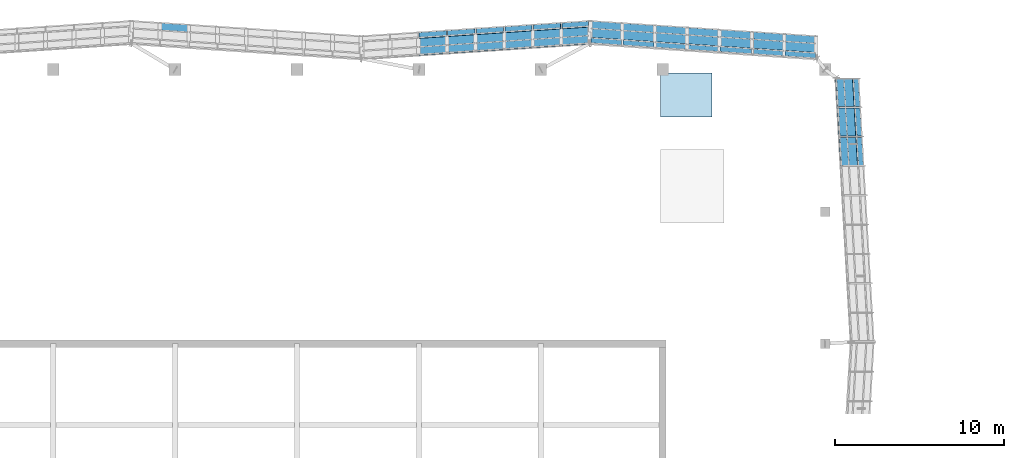
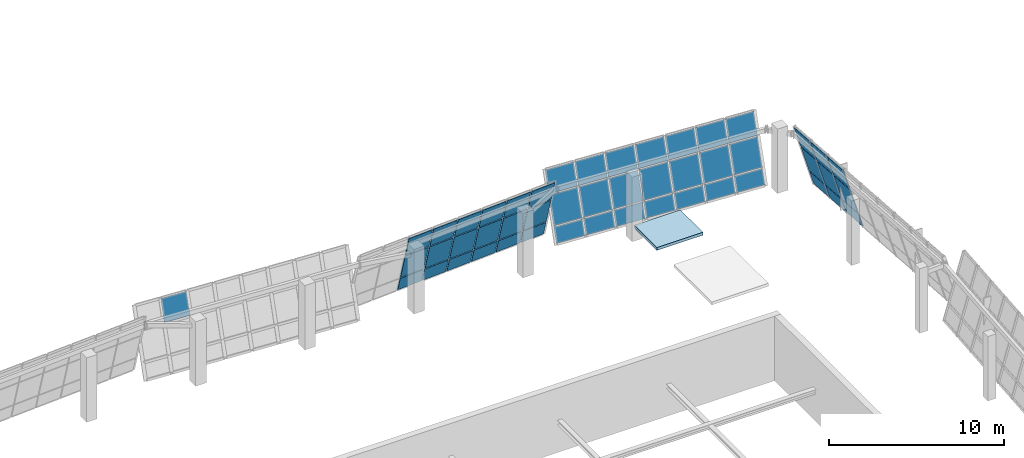
# One storey, part 44 of 67: 49 plates, 1 slab, 4 elements without a shape of their own.
"""IFC4 building model written with IfcOpenShell, lengths in metres."""

from ifc_helpers import new_model, si_unit, direction, frame, origin, place, context, subcontext, project, spatial, polyline, outline, extrude, material, layer, layer_set, type_object, element, aggregate, save


model = new_model("IFC4")

# Units and contexts
model_context = context("Model", 3, precision=1e-05, world=origin(), true_north=direction((0.0, 1.0)))
body_context = subcontext(model_context, "Body", "Model", "MODEL_VIEW")
ifc_project = project(units=[si_unit("LENGTHUNIT", "METRE"), si_unit("AREAUNIT", "SQUARE_METRE"), si_unit("VOLUMEUNIT", "CUBIC_METRE"), si_unit("PLANEANGLEUNIT", "RADIAN"), si_unit("MASSUNIT", "GRAM", prefix="KILO")], contexts=[model_context])

# Site, building, storey
site_placement = place(None, origin())
site = spatial("IfcSite", under=ifc_project, at=site_placement, CompositionType="ELEMENT")
building_placement = place(site_placement, origin())
building = spatial("IfcBuilding", under=site, at=building_placement, Name="Pellamere Symphony Hall", CompositionType="ELEMENT")
storey_placement = place(building_placement, frame((0.0, 0.0, 19.5)))
storey = spatial("IfcBuildingStorey", under=building, at=storey_placement, Name="L04", CompositionType="ELEMENT", Elevation=19.5)

# Curtain wall, plates
ifc_material_1 = material(Name="Thermally Broken Anodised Aluminium 6063-T6 Curtain Wall", Category="aluminium")
curtain_wall_type = type_object("IfcCurtainWallType", Name="Curtain Wall CW-01 (Tilted Faceted Crystal Low-Iron Curtain Wall)", PredefinedType="NOTDEFINED", material=ifc_material_1)
curtain_wall_1_placement = place(storey_placement, origin())
curtain_wall_1 = element("IfcCurtainWall", 1, at=curtain_wall_1_placement, inside=storey, type_object=curtain_wall_type, Name="Crystal Faceted Curtain Wall CW-CR10 (L04)", PredefinedType="NOTDEFINED")
ifc_material_2 = material(Name="Pre-Weathered Quartz-Zinc Faceted Cladding Cassette", Category="aluminium")
ifc_layer_1 = layer(ifc_material_2, 0.0400390625, Name="Pre-Weathered Quartz-Zinc Faceted Cladding Cassette")
ifc_layer_set_1 = layer_set([ifc_layer_1], Name="Pre-Weathered Quartz-Zinc Faceted Cladding Cassette")
plate_type_1 = type_object("IfcPlateType", Name="Facade Panel CL-01 40mm", PredefinedType="CURTAIN_PANEL", material=ifc_layer_set_1)
plate_1_placement = place(storey_placement, frame((118.22509765625, 94.2763671875, 0.072021484375), z_axis=(-0.064299929155, -0.956850357038, 0.283377686749), x_axis=(-0.997749727577, 0.067048349123, 0.0)))
plate_1 = element("IfcPlate", 2, at=plate_1_placement, type_object=plate_type_1, Name="CW1-024 crystal glass panel 1.1", PredefinedType="CURTAIN_PANEL", context=body_context, shape_type="SweptSolid", body=[
    extrude(outline(polyline([(0.0, 0.0), (1.806066093850216, -6.938893903907228e-18), (1.8253654111393334, -1.0134674953137657), (0.019299317289117303, -1.0134674953137657), (0.0, 0.0)])), origin(), (0.0, 0.0, -1.0), 0.0400390625),
])
plate_2_placement = place(storey_placement, frame((118.22509765625, 94.585693359375, 1.115966796875), z_axis=(-0.064169609769, -0.956840181223, 0.28344157913), x_axis=(-0.997758761658, 0.066913776862, 0.0)))
plate_2 = element("IfcPlate", 3, at=plate_2_placement, type_object=plate_type_1, Name="CW1-024 crystal glass panel 1.2", PredefinedType="CURTAIN_PANEL", context=body_context, shape_type="SweptSolid", body=[
    extrude(outline(polyline([(0.0, 0.0), (1.8060497410515595, 6.938893903907228e-18), (1.8420877761488028, -1.895865621449728), (0.03603803509724332, -1.895865621449728), (0.0, 0.0)])), origin(), (0.0, 0.0, -1.0), 0.0400390625),
])
plate_3_placement = place(storey_placement, frame((118.22509765625, 95.1455078125, 3.005859375), z_axis=(-0.064300267479, -0.956855391665, 0.283360609549), x_axis=(-0.997749727577, 0.067048349123, 0.0)))
plate_3 = element("IfcPlate", 4, at=plate_3_placement, type_object=plate_type_1, Name="CW1-024 crystal glass panel 1.3", PredefinedType="CURTAIN_PANEL", context=body_context, shape_type="SweptSolid", body=[
    extrude(outline(polyline([(0.0, 0.0), (1.806066093850216, 0.0), (1.8343030084589753, -1.4828980402897356), (0.028236914608759413, -1.4828980402897356), (0.0, 0.0)])), origin(), (0.0, 0.0, -1.0), 0.0400390625),
])
plate_4_placement = place(storey_placement, frame((116.348388671875, 94.40234375, 0.072021484375), z_axis=(-0.064251449356, -0.956787887145, 0.283599524449), x_axis=(-0.997752815695, 0.067002378864, 0.0)))
plate_4 = element("IfcPlate", 5, at=plate_4_placement, type_object=plate_type_1, Name="CW1-024 crystal glass panel 2.1", PredefinedType="CURTAIN_PANEL", context=body_context, shape_type="SweptSolid", body=[
    extrude(outline(polyline([(0.0, 0.0), (1.8437428393467363, 0.0), (1.863045282476549, -1.0135368028599794), (0.01930244312981295, -1.0135368028599794), (0.0, 0.0)])), origin(), (0.0, 0.0, -1.0), 0.0400390625),
])
plate_5_placement = place(storey_placement, frame((116.348388671875, 94.711669921875, 1.115966796875), z_axis=(-0.064254608922, -0.956834937205, 0.283440025712), x_axis=(-0.997752815695, 0.067002378864, 0.0)))
plate_5 = element("IfcPlate", 6, at=plate_5_placement, type_object=plate_type_1, Name="CW1-024 crystal glass panel 2.2", PredefinedType="CURTAIN_PANEL", context=body_context, shape_type="SweptSolid", body=[
    extrude(outline(polyline([(0.0, 0.0), (1.8437428393467363, -6.938893903907228e-18), (1.879828593197895, -1.895864713775123), (0.036085753851158794, -1.895864713775123), (0.0, 0.0)])), origin(), (0.0, 0.0, -1.0), 0.0400390625),
])
plate_6_placement = place(storey_placement, frame((116.348388671875, 95.271484375, 3.005859375), z_axis=(-0.064253173821, -0.95681356668, 0.283512483449), x_axis=(-0.997752815695, 0.067002378864, 0.0)))
plate_6 = element("IfcPlate", 7, at=plate_6_placement, type_object=plate_type_1, Name="CW1-024 crystal glass panel 2.3", PredefinedType="CURTAIN_PANEL", context=body_context, shape_type="SweptSolid", body=[
    extrude(outline(polyline([(0.0, 0.0), (1.8437428393467363, -6.938893903907228e-18), (1.8719767519247508, -1.4829674517842317), (0.02823391257801454, -1.4829674517842317), (0.0, 0.0)])), origin(), (0.0, 0.0, -1.0), 0.0400390625),
])
plate_7_placement = place(storey_placement, frame((114.43408203125, 94.531005859375, 0.072021484375), z_axis=(-0.06425582732, -0.956853080748, 0.283378493394), x_axis=(-0.997752815695, 0.067002378864, 0.0)))
plate_7 = element("IfcPlate", 8, at=plate_7_placement, type_object=plate_type_1, Name="CW1-024 crystal glass panel 3.1", PredefinedType="CURTAIN_PANEL", context=body_context, shape_type="SweptSolid", body=[
    extrude(outline(polyline([(0.0, 0.0), (1.8437428393467363, 0.0), (1.863028924473897, -1.0134677472055296), (0.019286085127160568, -1.0134677472055296), (0.0, 0.0)])), origin(), (0.0, 0.0, -1.0), 0.0400390625),
])
plate_8_placement = place(storey_placement, frame((114.43408203125, 94.84033203125, 1.115966796875), z_axis=(-0.064254608922, -0.956834937205, 0.283440025712), x_axis=(-0.997752815695, 0.067002378864, 0.0)))
plate_8 = element("IfcPlate", 9, at=plate_8_placement, type_object=plate_type_1, Name="CW1-024 crystal glass panel 3.2", PredefinedType="CURTAIN_PANEL", context=body_context, shape_type="SweptSolid", body=[
    extrude(outline(polyline([(0.0, 0.0), (1.8437428393467363, -6.938893903907228e-18), (1.879828593197895, -1.895864713775123), (0.036085753851158794, -1.895864713775123), (0.0, 0.0)])), origin(), (0.0, 0.0, -1.0), 0.0400390625),
])
plate_9_placement = place(storey_placement, frame((114.43408203125, 95.400146484375, 3.005859375), z_axis=(-0.064256165415, -0.956858115418, 0.283361416154), x_axis=(-0.997752815695, 0.067002378864, 0.0)))
plate_9 = element("IfcPlate", 10, at=plate_9_placement, type_object=plate_type_1, Name="CW1-024 crystal glass panel 3.3", PredefinedType="CURTAIN_PANEL", context=body_context, shape_type="SweptSolid", body=[
    extrude(outline(polyline([(0.0, 0.0), (1.8437428393467363, 0.0), (1.8719603939220983, -1.4828984088114556), (0.028217554575362156, -1.4828984088114556), (0.0, 0.0)])), origin(), (0.0, 0.0, -1.0), 0.0400390625),
])
plate_10_placement = place(storey_placement, frame((112.519775390625, 94.659423828125, 0.072021484375), z_axis=(-0.064251449356, -0.956787887145, 0.283599524449), x_axis=(-0.997752815695, 0.067002378864, 0.0)))
plate_10 = element("IfcPlate", 11, at=plate_10_placement, type_object=plate_type_1, Name="CW1-024 crystal glass panel 4.1", PredefinedType="CURTAIN_PANEL", context=body_context, shape_type="SweptSolid", body=[
    extrude(outline(polyline([(0.0, 0.0), (1.8437428393467363, 0.0), (1.863045282476549, -1.0135368028599794), (0.01930244312981295, -1.0135368028599794), (0.0, 0.0)])), origin(), (0.0, 0.0, -1.0), 0.0400390625),
])
plate_11_placement = place(storey_placement, frame((112.519775390625, 94.96875, 1.115966796875), z_axis=(-0.064254608922, -0.956834937205, 0.283440025712), x_axis=(-0.997752815695, 0.067002378864, 0.0)))
plate_11 = element("IfcPlate", 12, at=plate_11_placement, type_object=plate_type_1, Name="CW1-024 crystal glass panel 4.2", PredefinedType="CURTAIN_PANEL", context=body_context, shape_type="SweptSolid", body=[
    extrude(outline(polyline([(0.0, 0.0), (1.8437428393467363, -6.938893903907228e-18), (1.879828593197895, -1.895864713775123), (0.036085753851158794, -1.895864713775123), (0.0, 0.0)])), origin(), (0.0, 0.0, -1.0), 0.0400390625),
])
plate_12_placement = place(storey_placement, frame((112.519775390625, 95.528564453125, 3.005859375), z_axis=(-0.064253173821, -0.95681356668, 0.283512483449), x_axis=(-0.997752815695, 0.067002378864, 0.0)))
plate_12 = element("IfcPlate", 13, at=plate_12_placement, type_object=plate_type_1, Name="CW1-024 crystal glass panel 4.3", PredefinedType="CURTAIN_PANEL", context=body_context, shape_type="SweptSolid", body=[
    extrude(outline(polyline([(0.0, 0.0), (1.8437428393467363, -6.938893903907228e-18), (1.8719767519247508, -1.4829674517842317), (0.02823391257801454, -1.4829674517842317), (0.0, 0.0)])), origin(), (0.0, 0.0, -1.0), 0.0400390625),
])
plate_13_placement = place(storey_placement, frame((110.60546875, 94.7880859375, 0.072021484375), z_axis=(-0.064251449356, -0.956787887145, 0.283599524449), x_axis=(-0.997752815695, 0.067002378864, 0.0)))
plate_13 = element("IfcPlate", 14, at=plate_13_placement, type_object=plate_type_1, Name="CW1-024 crystal glass panel 5.1", PredefinedType="CURTAIN_PANEL", context=body_context, shape_type="SweptSolid", body=[
    extrude(outline(polyline([(0.0, 0.0), (1.8437428393467363, 0.0), (1.863045282476549, -1.0135368028599794), (0.01930244312981295, -1.0135368028599794), (0.0, 0.0)])), origin(), (0.0, 0.0, -1.0), 0.0400390625),
])
plate_14_placement = place(storey_placement, frame((110.60546875, 95.097412109375, 1.115966796875), z_axis=(-0.064254608922, -0.956834937205, 0.283440025712), x_axis=(-0.997752815695, 0.067002378864, 0.0)))
plate_14 = element("IfcPlate", 15, at=plate_14_placement, type_object=plate_type_1, Name="CW1-024 crystal glass panel 5.2", PredefinedType="CURTAIN_PANEL", context=body_context, shape_type="SweptSolid", body=[
    extrude(outline(polyline([(0.0, 0.0), (1.8437428393467363, -6.938893903907228e-18), (1.879828593197895, -1.895864713775123), (0.036085753851158794, -1.895864713775123), (0.0, 0.0)])), origin(), (0.0, 0.0, -1.0), 0.0400390625),
])
plate_15_placement = place(storey_placement, frame((110.60546875, 95.6572265625, 3.005859375), z_axis=(-0.064253173821, -0.95681356668, 0.283512483449), x_axis=(-0.997752815695, 0.067002378864, 0.0)))
plate_15 = element("IfcPlate", 16, at=plate_15_placement, type_object=plate_type_1, Name="CW1-024 crystal glass panel 5.3", PredefinedType="CURTAIN_PANEL", context=body_context, shape_type="SweptSolid", body=[
    extrude(outline(polyline([(0.0, 0.0), (1.8437428393467363, -6.938893903907228e-18), (1.8719767519247508, -1.4829674517842317), (0.02823391257801454, -1.4829674517842317), (0.0, 0.0)])), origin(), (0.0, 0.0, -1.0), 0.0400390625),
])
plate_16_placement = place(storey_placement, frame((108.691162109375, 94.916748046875, 0.072021484375), z_axis=(-0.064264320879, -0.956852556335, 0.283378338086), x_axis=(-0.99775222112, 0.067011232265, 0.0)))
plate_16 = element("IfcPlate", 17, at=plate_16_placement, type_object=plate_type_1, Name="CW1-024 crystal glass panel 6.1", PredefinedType="CURTAIN_PANEL", context=body_context, shape_type="SweptSolid", body=[
    extrude(outline(polyline([(0.0, 0.0), (1.843499247423292, -6.938893903907228e-18), (1.8627878809293459, -1.0134676987071924), (0.019288633506053806, -1.0134676987071924), (0.0, 0.0)])), origin(), (0.0, 0.0, -1.0), 0.0400390625),
])
plate_17_placement = place(storey_placement, frame((108.691162109375, 95.225830078125, 1.115966796875), z_axis=(-0.064263102321, -0.956834412823, 0.283439870376), x_axis=(-0.99775222112, 0.067011232265, 0.0)))
plate_17 = element("IfcPlate", 18, at=plate_17_placement, type_object=plate_type_1, Name="CW1-024 crystal glass panel 6.2", PredefinedType="CURTAIN_PANEL", context=body_context, shape_type="SweptSolid", body=[
    extrude(outline(polyline([(0.0, 0.0), (1.843499247423292, -6.938893903907228e-18), (1.8795897694880543, -1.8958646230112863), (0.03609052206476225, -1.8958646230112863), (0.0, 0.0)])), origin(), (0.0, 0.0, -1.0), 0.0400390625),
])
plate_18_placement = place(storey_placement, frame((108.691162109375, 95.785888671875, 3.005859375), z_axis=(-0.064264659018, -0.956857590997, 0.283361260853), x_axis=(-0.99775222112, 0.067011232265, 0.0)))
plate_18 = element("IfcPlate", 19, at=plate_18_placement, type_object=plate_type_1, Name="CW1-024 crystal glass panel 6.3", PredefinedType="CURTAIN_PANEL", context=body_context, shape_type="SweptSolid", body=[
    extrude(outline(polyline([(0.0, 0.0), (1.843499247423292, 0.0), (1.8717205305428366, -1.4828983378576046), (0.02822128311954437, -1.4828983378576046), (0.0, 0.0)])), origin(), (0.0, 0.0, -1.0), 0.0400390625),
])
plate_19_placement = place(storey_placement, frame((106.77685546875, 95.045166015625, 0.072021484375), z_axis=(-0.06429554821, -0.956785163992, 0.283598717285), x_axis=(-0.997749727577, 0.067048349123, 0.0)))
plate_19 = element("IfcPlate", 20, at=plate_19_placement, type_object=plate_type_1, Name="CW1-024 crystal glass panel 7.1", PredefinedType="CURTAIN_PANEL", context=body_context, shape_type="SweptSolid", body=[
    extrude(outline(polyline([(0.0, 0.0), (1.806066093850216, 0.0), (1.8253817803651935, -1.013536550557928), (0.019315686514977455, -1.013536550557928), (0.0, 0.0)])), origin(), (0.0, 0.0, -1.0), 0.0400390625),
])
plate_20_placement = place(storey_placement, frame((106.77685546875, 95.3544921875, 1.115966796875), z_axis=(-0.064298709927, -0.95683221365, 0.283439218922), x_axis=(-0.997749727577, 0.067048349123, 0.0)))
plate_20 = element("IfcPlate", 21, at=plate_20_placement, type_object=plate_type_1, Name="CW1-024 crystal glass panel 7.2", PredefinedType="CURTAIN_PANEL", context=body_context, shape_type="SweptSolid", body=[
    extrude(outline(polyline([(0.0, 0.0), (1.806066093850216, 0.0), (1.8421766060977078, -1.8958642423638508), (0.03611051224749175, -1.8958642423638508), (0.0, 0.0)])), origin(), (0.0, 0.0, -1.0), 0.0400390625),
])
plate_21_placement = place(storey_placement, frame((106.77685546875, 95.914306640625, 3.005859375), z_axis=(-0.064297273849, -0.956810843307, 0.283511676489), x_axis=(-0.997749727577, 0.067048349123, 0.0)))
plate_21 = element("IfcPlate", 22, at=plate_21_placement, type_object=plate_type_1, Name="CW1-024 crystal glass panel 7.3", PredefinedType="CURTAIN_PANEL", context=body_context, shape_type="SweptSolid", body=[
    extrude(outline(polyline([(0.0, 0.0), (1.806066093850216, 0.0), (1.8343193776848354, -1.4829670828522934), (0.02825328383461956, -1.4829670828522934), (0.0, 0.0)])), origin(), (0.0, 0.0, -1.0), 0.0400390625),
])
aggregate(curtain_wall_1, [plate_1, plate_2, plate_3, plate_4, plate_5, plate_6, plate_7, plate_8, plate_9, plate_10, plate_11, plate_12, plate_13, plate_14, plate_15, plate_16, plate_17, plate_18, plate_19, plate_20, plate_21])

# Curtain wall, plate
curtain_wall_2_placement = place(storey_placement, origin())
curtain_wall_2 = element("IfcCurtainWall", 23, at=curtain_wall_2_placement, inside=storey, type_object=curtain_wall_type, Name="Crystal Faceted Curtain Wall CW-CR12 (L04)", PredefinedType="NOTDEFINED")
plate_22_placement = place(storey_placement, frame((81.16259765625, 95.81787109375, 3.005859375), z_axis=(-0.063318531004, -0.956893214294, 0.283453946998), x_axis=(-0.997817469292, 0.066032549261, 2.0327621e-05)))
plate_22 = element("IfcPlate", 24, at=plate_22_placement, type_object=plate_type_1, Name="CW1-030 crystal glass panel 7.3", PredefinedType="CURTAIN_PANEL", context=body_context, shape_type="SweptSolid", body=[
    extrude(outline(polyline([(0.0, 0.0), (1.628806456861063, -6.938893903907228e-18), (1.6566444831961924, -1.4829055775359932), (0.027854147562976436, -1.4829746288086836), (0.0, 0.0)])), origin(), (0.0, 0.0, -1.0), 0.0400390625),
])
aggregate(curtain_wall_2, [plate_22])

# Curtain wall, plates
curtain_wall_3_placement = place(storey_placement, origin())
curtain_wall_3 = element("IfcCurtainWall", 25, at=curtain_wall_3_placement, inside=storey, type_object=curtain_wall_type, Name="Crystal Faceted Curtain Wall CW-CR09 (L04)", PredefinedType="NOTDEFINED")
ifc_material_3 = material(Name="Vacuum-Insulated Bronze-Anodised Aluminium Spandrel Panel", Category="aluminium")
ifc_layer_2 = layer(ifc_material_3, 0.06494140625, Name="Vacuum-Insulated Bronze-Anodised Aluminium Spandrel Panel")
ifc_layer_set_2 = layer_set([ifc_layer_2], Name="Vacuum-Insulated Bronze-Anodised Aluminium Spandrel Panel")
plate_type_2 = type_object("IfcPlateType", Name="Facade Panel SP-01 65mm", PredefinedType="CURTAIN_PANEL", material=ifc_layer_set_2)
plate_23_placement = place(storey_placement, frame((121.0595703125, 87.9375, 0.072021484375), z_axis=(0.957304871124, 0.05524267768, 0.283752762604), x_axis=(-0.057610619545, 0.998339129012, 0.0)))
plate_23 = element("IfcPlate", 26, at=plate_23_placement, type_object=plate_type_2, Name="CW1-021 crystal glass panel 7.1", PredefinedType="CURTAIN_PANEL", context=body_context, shape_type="SweptSolid", body=[
    extrude(outline(polyline([(0.0, 0.0), (1.6612063149993754, 0.0), (1.677803124341095, 1.0135847182066644), (0.01659680934171927, 1.0135847182066644), (0.0, 0.0)])), origin(), (0.0, 0.0, -1.0), 0.06494140625),
])
plate_24_placement = place(storey_placement, frame((120.750244140625, 87.9375, 1.115966796875), z_axis=(0.957351997497, 0.055245397176, 0.283593192759), x_axis=(-0.057610619545, 0.998339129012, 0.0)))
plate_24 = element("IfcPlate", 27, at=plate_24_placement, type_object=plate_type_2, Name="CW1-021 crystal glass panel 7.2", PredefinedType="CURTAIN_PANEL", context=body_context, shape_type="SweptSolid", body=[
    extrude(outline(polyline([(0.0, 0.0), (1.6612063149993754, -3.469446951953614e-18), (1.6922339094127932, 1.8959542407330272), (0.031027594413417556, 1.8959542407330272), (0.0, 0.0)])), origin(), (0.0, 0.0, -1.0), 0.06494140625),
])
plate_25_placement = place(storey_placement, frame((120.1904296875, 87.9375, 3.005859375), z_axis=(0.957330592308, 0.055244161959, 0.283665682802), x_axis=(-0.057610619545, 0.998339129012, 0.0)))
plate_25 = element("IfcPlate", 28, at=plate_25_placement, type_object=plate_type_2, Name="CW1-021 crystal glass panel 7.3", PredefinedType="CURTAIN_PANEL", context=body_context, shape_type="SweptSolid", body=[
    extrude(outline(polyline([(0.0, 0.0), (1.6612063149993754, 0.0), (1.6854826649348056, 1.4830375166207674), (0.024276349935430055, 1.4830375166207674), (0.0, 0.0)])), origin(), (0.0, 0.0, -1.0), 0.06494140625),
])
plate_26_placement = place(storey_placement, frame((120.95947265625, 89.670654296875, 0.072021484375), z_axis=(0.957370600532, 0.055238339036, 0.283531760369), x_axis=(-0.057602168051, 0.998339616682, 0.0)))
plate_26 = element("IfcPlate", 29, at=plate_26_placement, type_object=plate_type_2, Name="CW1-021 crystal glass panel 8.1", PredefinedType="CURTAIN_PANEL", context=body_context, shape_type="SweptSolid", body=[
    extrude(outline(polyline([(0.0, 0.0), (1.6614500501978287, 3.469446951953614e-18), (1.6780303617535524, 1.0135156244351138), (0.01658031155572367, 1.0135156244351138), (0.0, 0.0)])), origin(), (0.0, 0.0, -1.0), 0.06494140625),
])
plate_27_placement = place(storey_placement, frame((120.650390625, 89.670654296875, 1.115966796875), z_axis=(0.957352427535, 0.055237290491, 0.283593320148), x_axis=(-0.057602168051, 0.998339616682, 0.0)))
plate_27 = element("IfcPlate", 30, at=plate_27_placement, type_object=plate_type_2, Name="CW1-021 crystal glass panel 8.2", PredefinedType="CURTAIN_PANEL", context=body_context, shape_type="SweptSolid", body=[
    extrude(outline(polyline([(0.0, 0.0), (1.6614500501978287, -3.469446951953614e-18), (1.6924730928542548, 1.8959543152177933), (0.031023042656426136, 1.8959543152177933), (0.0, 0.0)])), origin(), (0.0, 0.0, -1.0), 0.06494140625),
])
plate_28_placement = place(storey_placement, frame((120.09033203125, 89.670654296875, 3.005859375), z_axis=(0.957375643376, 0.055238629998, 0.283514675506), x_axis=(-0.057602168051, 0.998339616682, 0.0)))
plate_28 = element("IfcPlate", 31, at=plate_28_placement, type_object=plate_type_2, Name="CW1-021 crystal glass panel 8.3", PredefinedType="CURTAIN_PANEL", context=body_context, shape_type="SweptSolid", body=[
    extrude(outline(polyline([(0.0, 0.0), (1.6614500501978287, -3.469446951953614e-18), (1.6857087757564575, 1.4829684539719754), (0.02425872555862878, 1.4829684539719754), (0.0, 0.0)])), origin(), (0.0, 0.0, -1.0), 0.06494140625),
])
plate_29_placement = place(storey_placement, frame((120.859619140625, 91.404052734375, 0.072021484375), z_axis=(0.957306173936, 0.055218112141, 0.283753148768), x_axis=(-0.057585007883, 0.99834060664, 0.0)))
plate_29 = element("IfcPlate", 32, at=plate_29_placement, type_object=plate_type_2, Name="CW1-021 crystal glass panel 9.1", PredefinedType="CURTAIN_PANEL", context=body_context, shape_type="SweptSolid", body=[
    extrude(outline(polyline([(0.0, 0.0), (1.6237882534451713, -3.469446951953614e-18), (1.640377684427097, 1.0135848389957818), (0.016589430981925515, 1.0135848389957818), (0.0, 0.0)])), origin(), (0.0, 0.0, -1.0), 0.06494140625),
])
plate_30_placement = place(storey_placement, frame((120.55029296875, 91.404052734375, 1.115966796875), z_axis=(0.957353300502, 0.055220830436, 0.283593578744), x_axis=(-0.057585007883, 0.99834060664, 0.0)))
plate_30 = element("IfcPlate", 33, at=plate_30_placement, type_object=plate_type_2, Name="CW1-021 crystal glass panel 9.2", PredefinedType="CURTAIN_PANEL", context=body_context, shape_type="SweptSolid", body=[
    extrude(outline(polyline([(0.0, 0.0), (1.6237882534451713, -3.469446951953614e-18), (1.654802054077483, 1.895954466420271), (0.031013800632311597, 1.895954466420271), (0.0, 0.0)])), origin(), (0.0, 0.0, -1.0), 0.06494140625),
])
plate_31_placement = place(storey_placement, frame((119.990478515625, 91.404052734375, 3.005859375), z_axis=(0.957331895226, 0.055219595764, 0.283666068869), x_axis=(-0.057585007883, 0.99834060664, 0.0)))
plate_31 = element("IfcPlate", 34, at=plate_31_placement, type_object=plate_type_2, Name="CW1-021 crystal glass panel 9.3", PredefinedType="CURTAIN_PANEL", context=body_context, shape_type="SweptSolid", body=[
    extrude(outline(polyline([(0.0, 0.0), (1.6237882534451713, 0.0), (1.6480538109661913, 1.483037693246222), (0.024265557521019863, 1.483037693246222), (0.0, 0.0)])), origin(), (0.0, 0.0, -1.0), 0.06494140625),
])
aggregate(curtain_wall_3, [plate_23, plate_24, plate_25, plate_26, plate_27, plate_28, plate_29, plate_30, plate_31])

curtain_wall_4_placement = place(storey_placement, origin())
curtain_wall_4 = element("IfcCurtainWall", 35, at=curtain_wall_4_placement, inside=storey, type_object=curtain_wall_type, Name="Crystal Faceted Curtain Wall CW-CR11 (L04)", PredefinedType="NOTDEFINED")
plate_32_placement = place(storey_placement, frame((104.8251953125, 96.456787109375, 0.072021484375), z_axis=(-0.063768067856, 0.956817613505, 0.283608335578), x_axis=(-0.997786526209, -0.066498482063, 0.0)))
plate_32 = element("IfcPlate", 36, at=plate_32_placement, type_object=plate_type_2, Name="CW1-027 crystal glass panel 1.1", PredefinedType="CURTAIN_PANEL", context=body_context, shape_type="SweptSolid", body=[
    extrude(outline(polyline([(0.0, 0.0), (1.578689700777497, -3.469446951953614e-18), (1.5978469783249076, 1.0135395570866388), (0.01915727754741067, 1.0135395570866388), (0.0, 0.0)])), origin(), (0.0, 0.0, -1.0), 0.06494140625),
])
plate_33_placement = place(storey_placement, frame((104.8251953125, 96.1474609375, 1.115966796875), z_axis=(-0.063771203847, 0.95686466795, 0.283448832751), x_axis=(-0.997786526209, -0.066498482063, 0.0)))
plate_33 = element("IfcPlate", 37, at=plate_33_placement, type_object=plate_type_2, Name="CW1-027 crystal glass panel 1.2", PredefinedType="CURTAIN_PANEL", context=body_context, shape_type="SweptSolid", body=[
    extrude(outline(polyline([(0.0, 0.0), (1.578689700777497, 0.0), (1.6145040688025716, 1.8958698598826869), (0.03581436802507452, 1.8958698598826869), (0.0, 0.0)])), origin(), (0.0, 0.0, -1.0), 0.06494140625),
])
plate_34_placement = place(storey_placement, frame((104.8251953125, 95.587646484375, 3.005859375), z_axis=(-0.063769779454, 0.956843295433, 0.283521292346), x_axis=(-0.997786526209, -0.066498482063, 0.0)))
plate_34 = element("IfcPlate", 38, at=plate_34_placement, type_object=plate_type_2, Name="CW1-027 crystal glass panel 1.3", PredefinedType="CURTAIN_PANEL", context=body_context, shape_type="SweptSolid", body=[
    extrude(outline(polyline([(0.0, 0.0), (1.578689700777497, -3.469446951953614e-18), (1.6067112779358281, 1.4829714791877961), (0.028021577158331198, 1.4829714791877961), (0.0, 0.0)])), origin(), (0.0, 0.0, -1.0), 0.06494140625),
])
plate_35_placement = place(storey_placement, frame((103.175048828125, 96.3466796875, 0.072021484375), z_axis=(-0.063813980382, 0.956847537844, 0.283497028608), x_axis=(-0.99778388931, -0.066538032828, -2.0489291e-05)))
plate_35 = element("IfcPlate", 39, at=plate_35_placement, type_object=plate_type_2, Name="CW1-027 crystal glass panel 2.1", PredefinedType="CURTAIN_PANEL", context=body_context, shape_type="SweptSolid", body=[
    extrude(outline(polyline([(0.0, 0.0), (1.6161228816748314, 0.0), (1.6352716392112494, 1.0135397113603168), (0.019132512899497058, 1.0134706512833356), (0.0, 0.0)])), origin(), (0.0, 0.0, -1.0), 0.06494140625),
])
plate_36_placement = place(storey_placement, frame((103.175048828125, 96.037353515625, 1.115966796875), z_axis=(-0.063742803838, 0.956866407618, 0.283449348087), x_axis=(-0.997788498757, -0.06646887804, 0.0)))
plate_36 = element("IfcPlate", 40, at=plate_36_placement, type_object=plate_type_2, Name="CW1-027 crystal glass panel 2.2", PredefinedType="CURTAIN_PANEL", context=body_context, shape_type="SweptSolid", body=[
    extrude(outline(polyline([(0.0, 0.0), (1.616122885895694, 0.0), (1.6519213099571914, 1.895870161008751), (0.03579842406149748, 1.895870161008751), (0.0, 0.0)])), origin(), (0.0, 0.0, -1.0), 0.06494140625),
])
plate_37_placement = place(storey_placement, frame((103.175048828125, 95.4775390625, 3.005859375), z_axis=(-0.063815004476, 0.956862893455, 0.283444965263), x_axis=(-0.997783889163, -0.066538035048, -2.0485857e-05)))
plate_37 = element("IfcPlate", 41, at=plate_37_placement, type_object=plate_type_2, Name="CW1-027 crystal glass panel 2.3", PredefinedType="CURTAIN_PANEL", context=body_context, shape_type="SweptSolid", body=[
    extrude(outline(polyline([(0.0, 0.0), (1.616122881674696, -3.469446951953614e-18), (1.64413199260605, 1.4829717100917374), (0.02799286629389127, 1.4829026626974238), (0.0, 0.0)])), origin(), (0.0, 0.0, -1.0), 0.06494140625),
])
plate_38_placement = place(storey_placement, frame((101.487548828125, 96.234130859375, 0.072021484375), z_axis=(-0.063813980382, 0.956847537844, 0.283497028608), x_axis=(-0.99778388931, -0.066538032828, -2.0489291e-05)))
plate_38 = element("IfcPlate", 42, at=plate_38_placement, type_object=plate_type_2, Name="CW1-027 crystal glass panel 3.1", PredefinedType="CURTAIN_PANEL", context=body_context, shape_type="SweptSolid", body=[
    extrude(outline(polyline([(0.0, 0.0), (1.6161228816748314, 0.0), (1.6352716392112494, 1.0135397113603168), (0.019132512899497058, 1.0134706512833356), (0.0, 0.0)])), origin(), (0.0, 0.0, -1.0), 0.06494140625),
])
plate_39_placement = place(storey_placement, frame((101.487548828125, 95.925048828125, 1.115966796875), z_axis=(-0.063887083219, 0.956857561593, 0.283446727659), x_axis=(-0.997778468566, -0.06661927398, 0.0)))
plate_39 = element("IfcPlate", 43, at=plate_39_placement, type_object=plate_type_2, Name="CW1-027 crystal glass panel 3.2", PredefinedType="CURTAIN_PANEL", context=body_context, shape_type="SweptSolid", body=[
    extrude(outline(polyline([(0.0, 0.0), (1.6161391320080933, 0.0), (1.6520185554455487, 1.8958686298218108), (0.03587942343745519, 1.8958686298218108), (0.0, 0.0)])), origin(), (0.0, 0.0, -1.0), 0.06494140625),
])
plate_40_placement = place(storey_placement, frame((101.487548828125, 95.364990234375, 3.005859375), z_axis=(-0.063815004476, 0.956862893455, 0.283444965263), x_axis=(-0.997783889163, -0.066538035048, -2.0485857e-05)))
plate_40 = element("IfcPlate", 44, at=plate_40_placement, type_object=plate_type_2, Name="CW1-027 crystal glass panel 3.3", PredefinedType="CURTAIN_PANEL", context=body_context, shape_type="SweptSolid", body=[
    extrude(outline(polyline([(0.0, 0.0), (1.616122881674696, -3.469446951953614e-18), (1.64413199260605, 1.4829717100917374), (0.02799286629389127, 1.4829026626974238), (0.0, 0.0)])), origin(), (0.0, 0.0, -1.0), 0.06494140625),
])
plate_41_placement = place(storey_placement, frame((99.800048828125, 96.12158203125, 0.072021484375), z_axis=(-0.063744012611, 0.956884552951, 0.283387814099), x_axis=(-0.997788498757, -0.06646887804, 0.0)))
plate_41 = element("IfcPlate", 45, at=plate_41_placement, type_object=plate_type_2, Name="CW1-027 crystal glass panel 4.1", PredefinedType="CURTAIN_PANEL", context=body_context, shape_type="SweptSolid", body=[
    extrude(outline(polyline([(0.0, 0.0), (1.616122885895694, -3.469446951953614e-18), (1.6352554071869476, 1.0134706578556791), (0.019132521291253642, 1.0134706578556791), (0.0, 0.0)])), origin(), (0.0, 0.0, -1.0), 0.06494140625),
])
plate_42_placement = place(storey_placement, frame((99.800048828125, 95.8125, 1.115966796875), z_axis=(-0.063887083219, 0.956857561593, 0.283446727659), x_axis=(-0.997778468566, -0.06661927398, 0.0)))
plate_42 = element("IfcPlate", 46, at=plate_42_placement, type_object=plate_type_2, Name="CW1-027 crystal glass panel 4.2", PredefinedType="CURTAIN_PANEL", context=body_context, shape_type="SweptSolid", body=[
    extrude(outline(polyline([(0.0, 0.0), (1.6161391320080933, 0.0), (1.6520185554455487, 1.8958686298218108), (0.03587942343745519, 1.8958686298218108), (0.0, 0.0)])), origin(), (0.0, 0.0, -1.0), 0.06494140625),
])
plate_43_placement = place(storey_placement, frame((99.800048828125, 95.252685546875, 3.005859375), z_axis=(-0.063815004476, 0.956862893455, 0.283444965263), x_axis=(-0.997783083326, -0.066550118015, 2.0485651e-05)))
plate_43 = element("IfcPlate", 47, at=plate_43_placement, type_object=plate_type_2, Name="CW1-027 crystal glass panel 4.3", PredefinedType="CURTAIN_PANEL", context=body_context, shape_type="SweptSolid", body=[
    extrude(outline(polyline([(0.0, 0.0), (1.6161391277871378, 0.0), (1.6441953490990662, 1.4829014653860697), (0.028072468899334197, 1.48297051208629), (0.0, 0.0)])), origin(), (0.0, 0.0, -1.0), 0.06494140625),
])
plate_44_placement = place(storey_placement, frame((98.112548828125, 96.00927734375, 0.072021484375), z_axis=(-0.063813980382, 0.956847537844, 0.283497028608), x_axis=(-0.997783083178, -0.066550120235, 2.0489085e-05)))
plate_44 = element("IfcPlate", 48, at=plate_44_placement, type_object=plate_type_2, Name="CW1-027 crystal glass panel 5.1", PredefinedType="CURTAIN_PANEL", context=body_context, shape_type="SweptSolid", body=[
    extrude(outline(polyline([(0.0, 0.0), (1.6161391277872732, 0.0), (1.6353149478078974, 1.013469832796741), (0.019192067608572165, 1.0135388921795014), (0.0, 0.0)])), origin(), (0.0, 0.0, -1.0), 0.06494140625),
])
plate_45_placement = place(storey_placement, frame((98.112548828125, 95.699951171875, 1.115966796875), z_axis=(-0.063742803838, 0.956866407618, 0.283449348087), x_axis=(-0.997788498757, -0.06646887804, 0.0)))
plate_45 = element("IfcPlate", 49, at=plate_45_placement, type_object=plate_type_2, Name="CW1-027 crystal glass panel 5.2", PredefinedType="CURTAIN_PANEL", context=body_context, shape_type="SweptSolid", body=[
    extrude(outline(polyline([(0.0, 0.0), (1.616122885895694, 0.0), (1.6519213099571914, 1.895870161008751), (0.03579842406149748, 1.895870161008751), (0.0, 0.0)])), origin(), (0.0, 0.0, -1.0), 0.06494140625),
])
plate_46_placement = place(storey_placement, frame((98.112548828125, 95.14013671875, 3.005859375), z_axis=(-0.063815004476, 0.956862893455, 0.283444965263), x_axis=(-0.997783083326, -0.066550118015, 2.0485651e-05)))
plate_46 = element("IfcPlate", 50, at=plate_46_placement, type_object=plate_type_2, Name="CW1-027 crystal glass panel 5.3", PredefinedType="CURTAIN_PANEL", context=body_context, shape_type="SweptSolid", body=[
    extrude(outline(polyline([(0.0, 0.0), (1.6161391277871378, 0.0), (1.6441953490990662, 1.4829014653860697), (0.028072468899334197, 1.48297051208629), (0.0, 0.0)])), origin(), (0.0, 0.0, -1.0), 0.06494140625),
])
plate_47_placement = place(storey_placement, frame((96.425048828125, 95.896728515625, 0.072021484375), z_axis=(-0.063739669233, 0.956819352916, 0.283608851153), x_axis=(-0.997788498757, -0.06646887804, 0.0)))
plate_47 = element("IfcPlate", 51, at=plate_47_placement, type_object=plate_type_2, Name="CW1-027 crystal glass panel 6.1", PredefinedType="CURTAIN_PANEL", context=body_context, shape_type="SweptSolid", body=[
    extrude(outline(polyline([(0.0, 0.0), (1.616122885895694, -3.469446951953614e-18), (1.6352716349403753, 1.0135397182510573), (0.019148749044681338, 1.0135397182510573), (0.0, 0.0)])), origin(), (0.0, 0.0, -1.0), 0.06494140625),
])
plate_48_placement = place(storey_placement, frame((96.425048828125, 95.58740234375, 1.115966796875), z_axis=(-0.063742803838, 0.956866407618, 0.283449348087), x_axis=(-0.997788498757, -0.06646887804, 0.0)))
plate_48 = element("IfcPlate", 52, at=plate_48_placement, type_object=plate_type_2, Name="CW1-027 crystal glass panel 6.2", PredefinedType="CURTAIN_PANEL", context=body_context, shape_type="SweptSolid", body=[
    extrude(outline(polyline([(0.0, 0.0), (1.616122885895694, 0.0), (1.6519213099571914, 1.895870161008751), (0.03579842406149748, 1.895870161008751), (0.0, 0.0)])), origin(), (0.0, 0.0, -1.0), 0.06494140625),
])
plate_49_placement = place(storey_placement, frame((96.425048828125, 95.027587890625, 3.005859375), z_axis=(-0.063741380075, 0.956845034984, 0.283521807791), x_axis=(-0.997788498757, -0.06646887804, 0.0)))
plate_49 = element("IfcPlate", 53, at=plate_49_placement, type_object=plate_type_2, Name="CW1-027 crystal glass panel 6.3", PredefinedType="CURTAIN_PANEL", context=body_context, shape_type="SweptSolid", body=[
    extrude(outline(polyline([(0.0, 0.0), (1.616122885895694, -3.469446951953614e-18), (1.6441319883118974, 1.4829717148525519), (0.02800910241620338, 1.4829717148525519), (0.0, 0.0)])), origin(), (0.0, 0.0, -1.0), 0.06494140625),
])
aggregate(curtain_wall_4, [plate_32, plate_33, plate_34, plate_35, plate_36, plate_37, plate_38, plate_39, plate_40, plate_41, plate_42, plate_43, plate_44, plate_45, plate_46, plate_47, plate_48, plate_49])

# Slab
ifc_material_4 = material(Name="Precast concrete 40 MPa", Category="concrete")
ifc_layer_3 = layer(ifc_material_4, 0.199951171875, Name="Precast concrete 40 MPa")
ifc_layer_set_3 = layer_set([ifc_layer_3], Name="Precast concrete 40 MPa")
slab_type = type_object("IfcSlabType", Name="Structural Slab RS-03 200mm", PredefinedType="ROOF", material=ifc_layer_set_3)
slab_placement = place(storey_placement, frame((0.0, 0.0, 0.800048828125)))
element("IfcSlab", 54, at=slab_placement, inside=storey, type_object=slab_type, Name="Elevator PL6 Hoistway Overrun Cap Slab", PredefinedType="ROOF", context=body_context, shape_type="SweptSolid", body=[
    extrude(outline(polyline([(109.080078125, 90.804931640625), (112.1201171875, 90.804931640625), (112.1201171875, 93.39501953125), (109.080078125, 93.39501953125), (109.080078125, 90.804931640625)])), origin(), (0.0, 0.0, 1.0), 0.199951171875),
])

save(model, "model.ifc")
